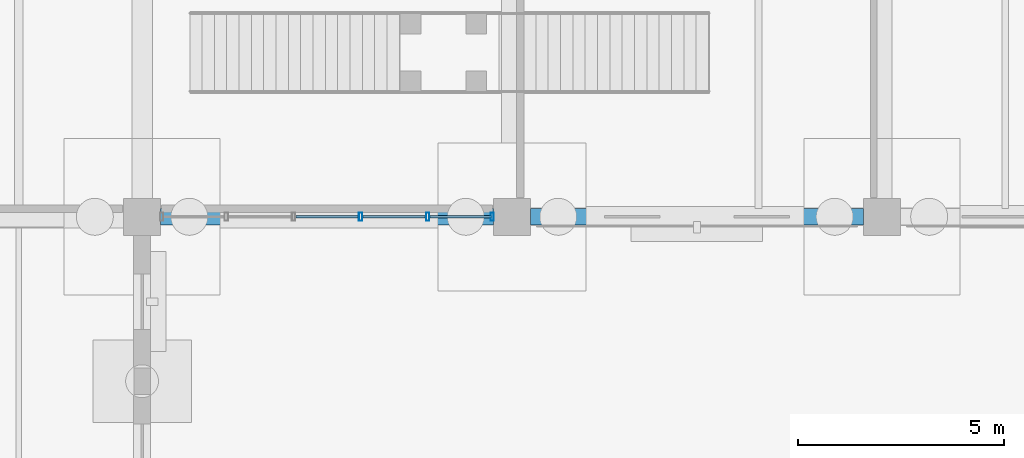
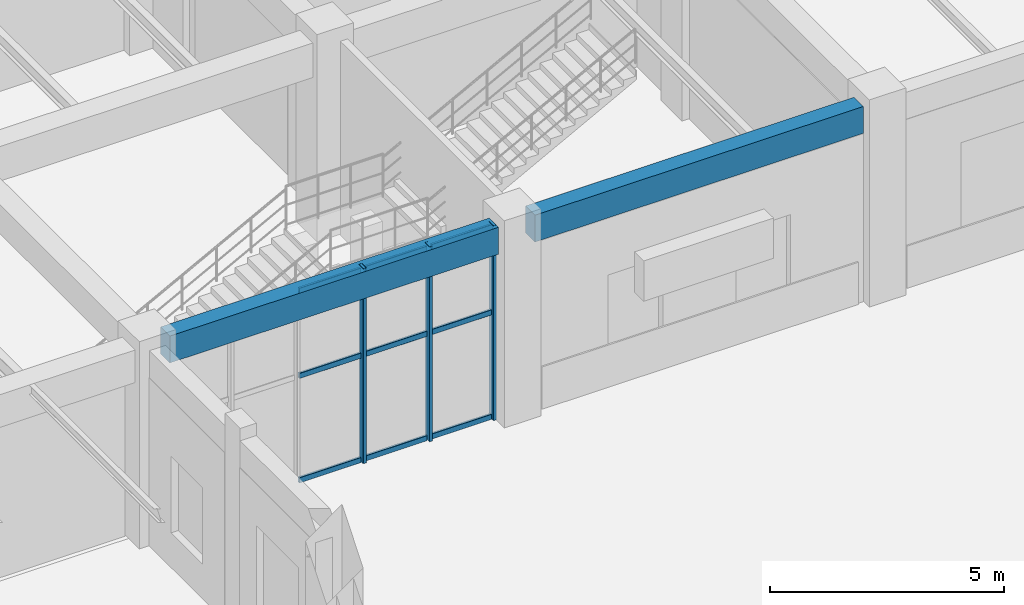
# One storey, part 49 of 121: 12 members, 2 beams, 1 element without a shape of its own.
"""IFC4 building model written with IfcOpenShell, lengths in metres."""

import ifcopenshell
import ifcopenshell.guid

model = None  # the IFC model being written
_history = None  # IfcOwnerHistory: only IFC2X3 demands one
_inside = {}  # id of a spatial element -> (the spatial element, [elements in it])
_under = {}  # id of a project, library or spatial element -> (it, [spatial elements below it])
_declared = {}  # id of a project -> (the project, [libraries it declares])
_typed = {}  # id of a type object -> (the type object, [elements of that type])
_made_of = {}  # id of a material, layer set ... -> (it, [elements and type objects made of it])


def new_model(schema):
    """Start an empty IFC model of exactly this schema.

    Asked for "IFC4X3", IfcOpenShell would pick the latest addendum, in which some entities
    have other attributes; the version numbers below select the first issue.
    IFC2X3 requires an IfcOwnerHistory on every rooted entity: one is made here for all.
    """
    global model, _history
    if schema == "IFC4X3":
        model = ifcopenshell.file(schema_version=(4, 3, 0, 0))
    else:
        model = ifcopenshell.file(schema=schema)
    _inside.clear()
    _under.clear()
    _declared.clear()
    _typed.clear()
    _made_of.clear()
    _history = None
    if model.schema == "IFC2X3":
        org = make("IfcOrganization", Name="unknown")
        user = make(
            "IfcPersonAndOrganization",
            ThePerson=make("IfcPerson", FamilyName="unknown"),
            TheOrganization=org,
        )
        app = make(
            "IfcApplication",
            ApplicationDeveloper=org,
            Version="unknown",
            ApplicationFullName="unknown",
            ApplicationIdentifier="unknown",
        )
        _history = make(
            "IfcOwnerHistory",
            OwningUser=user,
            OwningApplication=app,
            ChangeAction="ADDED",
            CreationDate=0,
        )
    return model


def make(cls, **values):
    """One entity of the class cls with the attributes given. An attribute that is None is left unset."""
    return model.create_entity(
        cls, **{name: value for name, value in values.items() if value is not None}
    )


def rooted(cls, **values):
    """An entity with a GlobalId (a new one), such as an element, a storey or a relation."""
    return make(cls, GlobalId=ifcopenshell.guid.new(), OwnerHistory=_history, **values)


def si_unit(unit_type, name, prefix=None):
    """IfcSIUnit, for example si_unit("LENGTHUNIT", "METRE", prefix="MILLI")."""
    return make("IfcSIUnit", UnitType=unit_type, Prefix=prefix, Name=name)


def derived_unit(unit_type, elements):
    """IfcDerivedUnit: a product of units, each with its exponent."""
    return make(
        "IfcDerivedUnit",
        Elements=[
            make("IfcDerivedUnitElement", Unit=unit, Exponent=power)
            for unit, power in elements
        ],
        UnitType=unit_type,
    )


def assignment(units):
    """IfcUnitAssignment: the units of a project."""
    return None if units is None else make("IfcUnitAssignment", Units=units)


def point(xyz):
    """IfcCartesianPoint."""
    return None if xyz is None else make("IfcCartesianPoint", Coordinates=xyz)


def direction(xyz):
    """IfcDirection."""
    return None if xyz is None else make("IfcDirection", DirectionRatios=xyz)


def frame(location, z_axis=None, x_axis=None):
    """IfcAxis2Placement3D, a coordinate frame: its origin and axes. An axis left out is left unset."""
    return make(
        "IfcAxis2Placement3D",
        Location=point(location),
        Axis=direction(z_axis),
        RefDirection=direction(x_axis),
    )


def frame_2d(location, x_axis=None):
    """IfcAxis2Placement2D, a coordinate frame in the plane: its origin and x axis."""
    return make(
        "IfcAxis2Placement2D", Location=point(location), RefDirection=direction(x_axis)
    )


def origin():
    """The frame at (0, 0, 0) with its axes left unset."""
    return frame((0.0, 0.0, 0.0))


def origin_2d():
    """The frame at (0, 0) in the plane with its x axis left unset."""
    return frame_2d((0.0, 0.0))


def place(relative_to, where):
    """IfcLocalPlacement: puts the frame where relative to a parent placement (None: the world)."""
    return make(
        "IfcLocalPlacement", PlacementRelTo=relative_to, RelativePlacement=where
    )


def context(
    kind, dimensions, precision=None, world=None, true_north=None, identifier=None
):
    """IfcGeometricRepresentationContext, for example the 3D "Model" context."""
    return make(
        "IfcGeometricRepresentationContext",
        ContextIdentifier=identifier,
        ContextType=kind,
        CoordinateSpaceDimension=dimensions,
        Precision=precision,
        WorldCoordinateSystem=world,
        TrueNorth=true_north,
    )


def subcontext(parent, identifier, kind, view, scale=None):
    """IfcGeometricRepresentationSubContext, for example "Body" below "Model"."""
    return make(
        "IfcGeometricRepresentationSubContext",
        ContextIdentifier=identifier,
        ContextType=kind,
        ParentContext=parent,
        TargetScale=scale,
        TargetView=view,
    )


def project(units=None, contexts=None):
    """IfcProject with its units and contexts."""
    return rooted(
        "IfcProject",
        Name="project",
        RepresentationContexts=contexts,
        UnitsInContext=assignment(units),
    )


def spatial(cls, under=None, at=None, **own):
    """A site, building, storey or space (cls), placed at a placement, below another one or the project."""
    s = rooted(cls, ObjectPlacement=at, **own)
    if under is not None:
        _under.setdefault(under.id(), (under, []))[1].append(s)
    return s


def profile(cls, at=None, kind="AREA", **sizes):
    """A parametric profile (cls). Its sizes go by their IFC names, for example OverallWidth=200.0."""
    return make(cls, ProfileType=kind, Position=at, **sizes)


def rectangle(**sizes):
    """IfcRectangleProfileDef."""
    return profile("IfcRectangleProfileDef", **sizes)


def hollow_rectangle(**sizes):
    """IfcRectangleHollowProfileDef."""
    return profile("IfcRectangleHollowProfileDef", **sizes)


def extrude(swept, where, along, depth):
    """IfcExtrudedAreaSolid: the profile swept, set in the frame where, extruded along a direction by depth."""
    return make(
        "IfcExtrudedAreaSolid",
        SweptArea=swept,
        Position=where,
        ExtrudedDirection=direction(along),
        Depth=depth,
    )


def shape(context_of_items, identifier, shape_type, items):
    """IfcShapeRepresentation: the items that make up one representation, for example the "Body"."""
    return make(
        "IfcShapeRepresentation",
        ContextOfItems=context_of_items,
        RepresentationIdentifier=identifier,
        RepresentationType=shape_type,
        Items=items,
    )


def material(Name=None, Category=None):
    """IfcMaterial."""
    return make("IfcMaterial", Name=Name, Category=Category)


def material_profile(
    of_material, cross_section, Name=None, Category=None, Priority=None
):
    """IfcMaterialProfile: a cross section and its material."""
    return make(
        "IfcMaterialProfile",
        Name=Name,
        Material=of_material,
        Profile=cross_section,
        Priority=Priority,
        Category=Category,
    )


def profile_set(profiles, Name=None, composite=None):
    """IfcMaterialProfileSet."""
    return make(
        "IfcMaterialProfileSet",
        Name=Name,
        MaterialProfiles=profiles,
        CompositeProfile=composite,
    )


def made_of(thing, what):
    """Note that an element or type object is made of a material, layer set ...; save() writes the relation."""
    if what is not None:
        _made_of.setdefault(what.id(), (what, []))[1].append(thing)
    return thing


def type_object(cls, material=None, **own):
    """A type object (cls), such as IfcWallType, which elements share."""
    return made_of(rooted(cls, **own), material)


def element(
    cls,
    number,
    at=None,
    inside=None,
    cuts=None,
    type_object=None,
    material=None,
    context=None,
    identifier="Body",
    shape_type=None,
    held_by="IfcProductDefinitionShape",
    body=None,
    shapes=None,
    **own,
):
    """One element of the class cls, such as IfcWall. Its Tag is "e" and its number.

    at: its placement. inside: the storey or other place that contains it. cuts: it is an
    opening in that element (IfcRelVoidsElement). A single representation is given by context,
    identifier, shape_type and body (its items); several are given by shapes. held_by: the class
    of the entity that holds the representations. save() writes the other relations.
    """
    e = rooted(cls, Tag="e%d" % number, ObjectPlacement=at, **own)
    if body is not None:
        shapes = [shape(context, identifier, shape_type, body)]
    if shapes is not None:
        e.Representation = make(held_by, Representations=shapes)
    if inside is not None:
        _inside.setdefault(inside.id(), (inside, []))[1].append(e)
    if cuts is not None:
        rooted(
            "IfcRelVoidsElement", RelatingBuildingElement=cuts, RelatedOpeningElement=e
        )
    if type_object is not None:
        _typed.setdefault(type_object.id(), (type_object, []))[1].append(e)
    return made_of(e, material)


def aggregate(whole, parts):
    """IfcRelAggregates: a whole, such as a stair, and the parts it consists of."""
    return rooted("IfcRelAggregates", RelatingObject=whole, RelatedObjects=parts)


def save(model, path):
    """Write the relations noted so far, then the file.

    IfcRelAggregates (storeys below a building ...), IfcRelContainedInSpatialStructure (elements
    in a storey), IfcRelDefinesByType, IfcRelAssociatesMaterial and IfcRelDeclares: one each for
    every whole, place, type object, material and project.
    """
    for whole, parts in _under.values():
        aggregate(whole, parts)
    for where, things in _inside.values():
        rooted(
            "IfcRelContainedInSpatialStructure",
            RelatedElements=things,
            RelatingStructure=where,
        )
    for kind, things in _typed.values():
        rooted("IfcRelDefinesByType", RelatedObjects=things, RelatingType=kind)
    for what, things in _made_of.values():
        rooted("IfcRelAssociatesMaterial", RelatedObjects=things, RelatingMaterial=what)
    for by, libraries in _declared.values():
        rooted("IfcRelDeclares", RelatingContext=by, RelatedDefinitions=libraries)
    model.write(path)


model = new_model("IFC4")

# Units and contexts
model_context = context("Model", 3, precision=1e-05, world=origin(), true_north=direction((0.0, 1.0)))
body_context = subcontext(model_context, "Body", "Model", "MODEL_VIEW")
ifc_project = project(units=[si_unit("LENGTHUNIT", "METRE"), si_unit("AREAUNIT", "SQUARE_METRE"), si_unit("VOLUMEUNIT", "CUBIC_METRE"), si_unit("PLANEANGLEUNIT", "RADIAN"), si_unit("MASSUNIT", "GRAM", prefix="KILO"), derived_unit("THERMALTRANSMITTANCEUNIT", [(si_unit("MASSUNIT", "GRAM", prefix="KILO"), 1), (si_unit("TIMEUNIT", "SECOND"), -3), (si_unit("THERMODYNAMICTEMPERATUREUNIT", "KELVIN"), -1)])], contexts=[model_context])

# Site, building, storey
site_placement = place(None, origin())
site = spatial("IfcSite", under=ifc_project, at=site_placement, CompositionType="ELEMENT")
building_placement = place(site_placement, origin())
building = spatial("IfcBuilding", under=site, at=building_placement, Name="Zhenchuan Archway Interchange", CompositionType="ELEMENT")
storey_placement = place(building_placement, origin())
storey = spatial("IfcBuildingStorey", under=building, at=storey_placement, Name="L00", CompositionType="ELEMENT", Elevation=0.0)

# Curtain wall, members
ifc_material_1 = material(Name="Anodised Aluminium", Category="aluminium")
curtain_wall_type = type_object("IfcCurtainWallType", Name="CW_UNIT_1", PredefinedType="NOTDEFINED", material=ifc_material_1)
curtain_wall_placement = place(storey_placement, origin())
curtain_wall = element("IfcCurtainWall", 1, at=curtain_wall_placement, inside=storey, type_object=curtain_wall_type, Name="Unitised curtain wall CW:L00:024", PredefinedType="NOTDEFINED")
ifc_material_profile_1 = material_profile(ifc_material_1, hollow_rectangle(XDim=0.080078125, YDim=0.199951171875, WallThickness=0.00439453125, InnerFilletRadius=0.00439453125, OuterFilletRadius=0.009033203125, at=origin_2d()), Name="ALU 200x80x4.5")
ifc_profile_set_1 = profile_set([ifc_material_profile_1], Name="Anodised Aluminium")
member_type_1 = type_object("IfcMemberType", Name="CW_MUL_200", PredefinedType="MULLION", material=ifc_profile_set_1)
member_1_placement = place(storey_placement, frame((116.52197265625, 88.0, 0.0), z_axis=(0.0, 0.0, 1.0), x_axis=(1.0, 0.0, 0.0)))
member_1 = element("IfcMember", 2, at=member_1_placement, type_object=member_type_1, Name="CW:L00:024 mullion 0", PredefinedType="MULLION", context=body_context, shape_type="SweptSolid", body=[
    extrude(hollow_rectangle(XDim=0.080078125, YDim=0.199951171875, WallThickness=0.00439453125, InnerFilletRadius=0.00439453125, OuterFilletRadius=0.009033203125, at=origin_2d()), origin(), (0.0, 0.0, 1.0), 5.080078125),
])
member_2_placement = place(storey_placement, frame((114.94921875, 88.0, 0.0), z_axis=(0.0, 0.0, 1.0), x_axis=(1.0, 0.0, 0.0)))
member_2 = element("IfcMember", 3, at=member_2_placement, type_object=member_type_1, Name="CW:L00:024 mullion 1", PredefinedType="MULLION", context=body_context, shape_type="SweptSolid", body=[
    extrude(hollow_rectangle(XDim=0.080078125, YDim=0.199951171875, WallThickness=0.00439453125, InnerFilletRadius=0.00439453125, OuterFilletRadius=0.009033203125, at=origin_2d()), origin(), (0.0, 0.0, 1.0), 5.080078125),
])
member_3_placement = place(storey_placement, frame((113.31640625, 88.0, 0.0), z_axis=(0.0, 0.0, 1.0), x_axis=(1.0, 0.0, 0.0)))
member_3 = element("IfcMember", 4, at=member_3_placement, type_object=member_type_1, Name="CW:L00:024 mullion 2", PredefinedType="MULLION", context=body_context, shape_type="SweptSolid", body=[
    extrude(hollow_rectangle(XDim=0.080078125, YDim=0.199951171875, WallThickness=0.00439453125, InnerFilletRadius=0.00439453125, OuterFilletRadius=0.009033203125, at=origin_2d()), origin(), (0.0, 0.0, 1.0), 5.080078125),
])
ifc_material_profile_2 = material_profile(ifc_material_1, hollow_rectangle(XDim=0.06005859375, YDim=0.139892578125, WallThickness=0.00341796875, InnerFilletRadius=0.00341796875, OuterFilletRadius=0.007080078125, at=origin_2d()), Name="ALU 140x60x3.5")
ifc_profile_set_2 = profile_set([ifc_material_profile_2], Name="Anodised Aluminium")
member_type_2 = type_object("IfcMemberType", Name="CW_TRN_140", PredefinedType="USERDEFINED", material=ifc_profile_set_2)
member_4_placement = place(storey_placement, frame((116.501953125, 88.0, 0.06005859375), z_axis=(-1.0, 0.0, 0.0), x_axis=(0.0, -1.0, 0.0)))
member_4 = element("IfcMember", 5, at=member_4_placement, type_object=member_type_2, Name="CW:L00:024 transom 0-1", ObjectType="TRANSOM", PredefinedType="USERDEFINED", context=body_context, shape_type="SweptSolid", body=[
    extrude(hollow_rectangle(XDim=0.06005859375, YDim=0.139892578125, WallThickness=0.00341796875, InnerFilletRadius=0.00341796875, OuterFilletRadius=0.007080078125, at=origin_2d()), origin(), (0.0, 0.0, 1.0), 1.49267578125),
])
member_5_placement = place(storey_placement, frame((116.501953125, 88.0, 2.782958984375), z_axis=(-1.0, 0.0, 0.0), x_axis=(0.0, -1.0, 0.0)))
member_5 = element("IfcMember", 6, at=member_5_placement, type_object=member_type_2, Name="CW:L00:024 transom 0-2", ObjectType="TRANSOM", PredefinedType="USERDEFINED", context=body_context, shape_type="SweptSolid", body=[
    extrude(hollow_rectangle(XDim=0.06005859375, YDim=0.139892578125, WallThickness=0.00341796875, InnerFilletRadius=0.00341796875, OuterFilletRadius=0.007080078125, at=origin_2d()), origin(), (0.0, 0.0, 1.0), 1.49267578125),
])
member_6_placement = place(storey_placement, frame((116.501953125, 88.0, 5.0), z_axis=(-1.0, 0.0, 0.0), x_axis=(0.0, -1.0, 0.0)))
member_6 = element("IfcMember", 7, at=member_6_placement, type_object=member_type_2, Name="CW:L00:024 transom 0-3", ObjectType="TRANSOM", PredefinedType="USERDEFINED", context=body_context, shape_type="SweptSolid", body=[
    extrude(hollow_rectangle(XDim=0.06005859375, YDim=0.139892578125, WallThickness=0.00341796875, InnerFilletRadius=0.00341796875, OuterFilletRadius=0.007080078125, at=origin_2d()), origin(), (0.0, 0.0, 1.0), 1.49267578125),
])
member_7_placement = place(storey_placement, frame((114.88916015625, 88.0, 0.06005859375), z_axis=(-1.0, 0.0, 0.0), x_axis=(0.0, -1.0, 0.0)))
member_7 = element("IfcMember", 8, at=member_7_placement, type_object=member_type_2, Name="CW:L00:024 transom 1-1", ObjectType="TRANSOM", PredefinedType="USERDEFINED", context=body_context, shape_type="SweptSolid", body=[
    extrude(hollow_rectangle(XDim=0.06005859375, YDim=0.139892578125, WallThickness=0.00341796875, InnerFilletRadius=0.00341796875, OuterFilletRadius=0.007080078125, at=origin_2d()), origin(), (0.0, 0.0, 1.0), 1.5126953125),
])
member_8_placement = place(storey_placement, frame((114.88916015625, 88.0, 2.782958984375), z_axis=(-1.0, 0.0, 0.0), x_axis=(0.0, -1.0, 0.0)))
member_8 = element("IfcMember", 9, at=member_8_placement, type_object=member_type_2, Name="CW:L00:024 transom 1-2", ObjectType="TRANSOM", PredefinedType="USERDEFINED", context=body_context, shape_type="SweptSolid", body=[
    extrude(hollow_rectangle(XDim=0.06005859375, YDim=0.139892578125, WallThickness=0.00341796875, InnerFilletRadius=0.00341796875, OuterFilletRadius=0.007080078125, at=origin_2d()), origin(), (0.0, 0.0, 1.0), 1.5126953125),
])
member_9_placement = place(storey_placement, frame((114.88916015625, 88.0, 5.0), z_axis=(-1.0, 0.0, 0.0), x_axis=(0.0, -1.0, 0.0)))
member_9 = element("IfcMember", 10, at=member_9_placement, type_object=member_type_2, Name="CW:L00:024 transom 1-3", ObjectType="TRANSOM", PredefinedType="USERDEFINED", context=body_context, shape_type="SweptSolid", body=[
    extrude(hollow_rectangle(XDim=0.06005859375, YDim=0.139892578125, WallThickness=0.00341796875, InnerFilletRadius=0.00341796875, OuterFilletRadius=0.007080078125, at=origin_2d()), origin(), (0.0, 0.0, 1.0), 1.5126953125),
])
member_10_placement = place(storey_placement, frame((113.25634765625, 88.0, 0.06005859375), z_axis=(-1.0, 0.0, 0.0), x_axis=(0.0, -1.0, 0.0)))
member_10 = element("IfcMember", 11, at=member_10_placement, type_object=member_type_2, Name="CW:L00:024 transom 2-1", ObjectType="TRANSOM", PredefinedType="USERDEFINED", context=body_context, shape_type="SweptSolid", body=[
    extrude(hollow_rectangle(XDim=0.06005859375, YDim=0.139892578125, WallThickness=0.00341796875, InnerFilletRadius=0.00341796875, OuterFilletRadius=0.007080078125, at=origin_2d()), origin(), (0.0, 0.0, 1.0), 1.5126953125),
])
member_11_placement = place(storey_placement, frame((113.25634765625, 88.0, 2.782958984375), z_axis=(-1.0, 0.0, 0.0), x_axis=(0.0, -1.0, 0.0)))
member_11 = element("IfcMember", 12, at=member_11_placement, type_object=member_type_2, Name="CW:L00:024 transom 2-2", ObjectType="TRANSOM", PredefinedType="USERDEFINED", context=body_context, shape_type="SweptSolid", body=[
    extrude(hollow_rectangle(XDim=0.06005859375, YDim=0.139892578125, WallThickness=0.00341796875, InnerFilletRadius=0.00341796875, OuterFilletRadius=0.007080078125, at=origin_2d()), origin(), (0.0, 0.0, 1.0), 1.5126953125),
])
member_12_placement = place(storey_placement, frame((113.25634765625, 88.0, 5.0), z_axis=(-1.0, 0.0, 0.0), x_axis=(0.0, -1.0, 0.0)))
member_12 = element("IfcMember", 13, at=member_12_placement, type_object=member_type_2, Name="CW:L00:024 transom 2-3", ObjectType="TRANSOM", PredefinedType="USERDEFINED", context=body_context, shape_type="SweptSolid", body=[
    extrude(hollow_rectangle(XDim=0.06005859375, YDim=0.139892578125, WallThickness=0.00341796875, InnerFilletRadius=0.00341796875, OuterFilletRadius=0.007080078125, at=origin_2d()), origin(), (0.0, 0.0, 1.0), 1.5126953125),
])
aggregate(curtain_wall, [member_1, member_2, member_3, member_4, member_5, member_6, member_7, member_8, member_9, member_10, member_11, member_12])

# Beams
ifc_material_2 = material(Name="Concrete C40", Category="concrete")
ifc_material_profile_3 = material_profile(ifc_material_2, rectangle(XDim=0.39990234375, YDim=0.699951171875, at=origin_2d()), Name="RC 400x700")
ifc_profile_set_3 = profile_set([ifc_material_profile_3], Name="Concrete C40")
beam_type = type_object("IfcBeamType", Name="SP_RC_400x700", PredefinedType="SPANDREL", material=ifc_profile_set_3)
for number, where, z_axis, x_axis, name in (
    (14, (108.449951171875, 88.0, 4.72998046875), (1.0, 0.0, 0.0), (0.0, 1.0, 0.0), "Beam M:13-14 (L00)"),
    (15, (117.449951171875, 88.0, 4.72998046875), (1.0, 0.0, 0.0), (0.0, 1.0, 0.0), "Beam M:14-15 (L00)"),
):
    element("IfcBeam", number, at=place(storey_placement, frame(where, z_axis=z_axis, x_axis=x_axis)), inside=storey, type_object=beam_type, Name=name, PredefinedType="SPANDREL", context=body_context, shape_type="SweptSolid", body=[
        extrude(rectangle(XDim=0.39990234375, YDim=0.699951171875, at=origin_2d()), origin(), (0.0, 0.0, 1.0), 8.10009765625),
    ])

save(model, "model.ifc")
